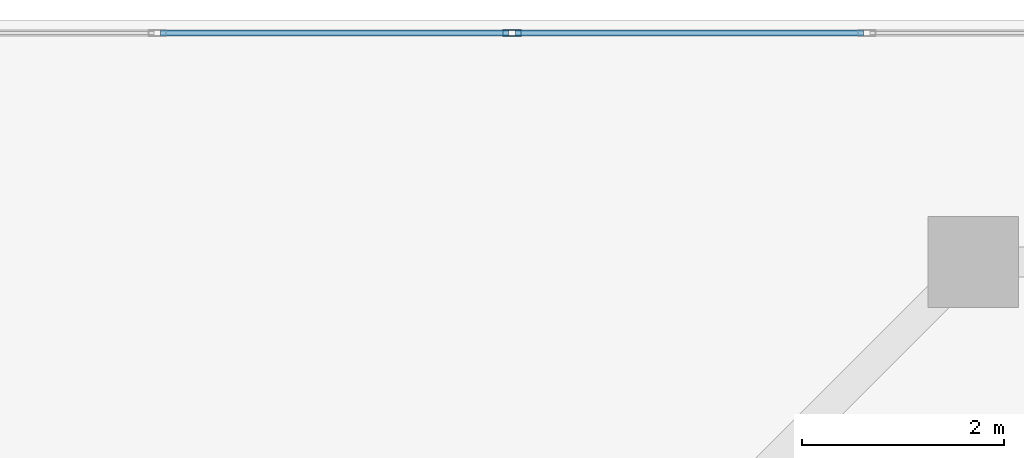
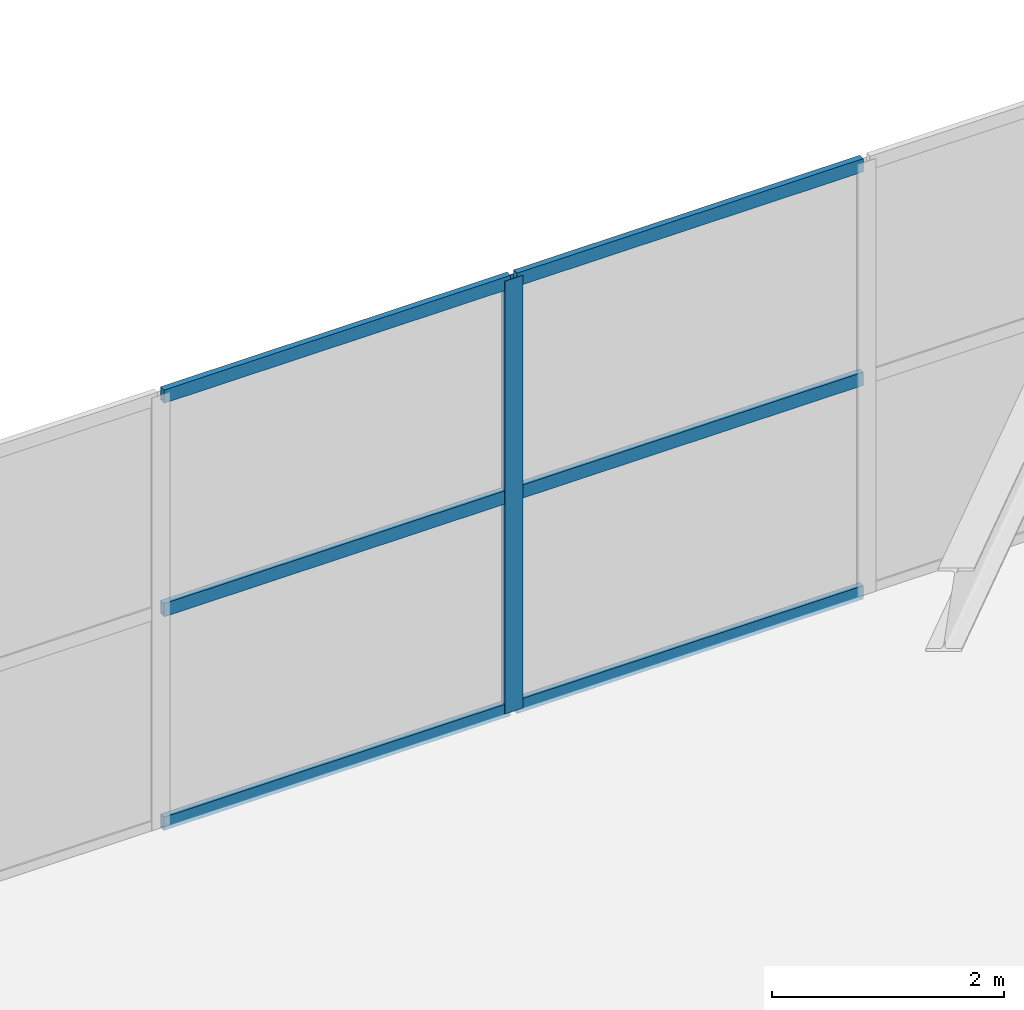
# One storey, part 16 of 31: 7 members, 1 element without a shape of its own.
"""IFC4 building model written with IfcOpenShell, lengths in metres."""

from ifc_helpers import new_model, si_unit, direction, frame, origin, origin_2d, place, context, subcontext, project, spatial, hollow_rectangle, extrude, material, layer, layer_set, material_profile, profile_set, type_object, element, aggregate, save


model = new_model("IFC4")

# Units and contexts
model_context = context("Model", 3, precision=1e-05, world=origin(), true_north=direction((0.0, 1.0)))
body_context = subcontext(model_context, "Body", "Model", "MODEL_VIEW")
ifc_project = project(units=[si_unit("LENGTHUNIT", "METRE"), si_unit("AREAUNIT", "SQUARE_METRE"), si_unit("VOLUMEUNIT", "CUBIC_METRE"), si_unit("PLANEANGLEUNIT", "RADIAN"), si_unit("MASSUNIT", "GRAM", prefix="KILO")], contexts=[model_context])

# Site, building, storey
site_placement = place(None, origin())
site = spatial("IfcSite", under=ifc_project, at=site_placement, CompositionType="ELEMENT")
building_placement = place(site_placement, origin())
building = spatial("IfcBuilding", under=site, at=building_placement, Name="Haolan Belvedere Tower", CompositionType="ELEMENT")
storey_placement = place(building_placement, frame((0.0, 0.0, 5.39990234375)))
storey = spatial("IfcBuildingStorey", under=building, at=storey_placement, Name="L01", CompositionType="ELEMENT", Elevation=5.39990234375)

# Curtain wall, members
ifc_material_1 = material(Name="Anodised champagne-silver aluminium 6063-T6 and Low-E glass", Category="aluminium")
ifc_layer = layer(ifc_material_1, 0.179931640625, Name="Anodised champagne-silver aluminium 6063-T6 and Low-E glass")
ifc_layer_set = layer_set([ifc_layer], Name="Anodised champagne-silver aluminium 6063-T6 and Low-E glass")
curtain_wall_type = type_object("IfcCurtainWallType", Name="CW-SYS-01", PredefinedType="NOTDEFINED", material=ifc_layer_set)
curtain_wall_placement = place(storey_placement, origin())
curtain_wall = element("IfcCurtainWall", 1, at=curtain_wall_placement, inside=storey, type_object=curtain_wall_type, Name="L01 CW-SYS-01 ribbon curtain wall 3.1", PredefinedType="NOTDEFINED")
ifc_material_2 = material(Name="Anodised aluminium 6063-T6", Category="aluminium")
ifc_material_profile_1 = material_profile(ifc_material_2, hollow_rectangle(XDim=0.06494140625, YDim=0.179931640625, WallThickness=0.00390625, at=origin_2d()), Name="Anodised aluminium 6063-T6")
ifc_profile_set_1 = profile_set([ifc_material_profile_1], Name="Anodised aluminium 6063-T6")
member_type_1 = type_object("IfcMemberType", Name="CW-SYS-01-MUL", PredefinedType="MULLION", material=ifc_profile_set_1)
member_1_placement = place(storey_placement, frame((54.22705078125, 53.8701171875, 0.0), z_axis=(0.0, 0.0, 1.0), x_axis=(0.0, -1.0, 0.0)))
member_1 = element("IfcMember", 2, at=member_1_placement, type_object=member_type_1, Name="CW-01 mullion 7", PredefinedType="MULLION", context=body_context, shape_type="SweptSolid", body=[
    extrude(hollow_rectangle(XDim=0.06494140625, YDim=0.179931640625, WallThickness=0.00390625, at=origin_2d()), origin(), (0.0, 0.0, 1.0), 4.56005859375),
])
ifc_material_profile_2 = material_profile(ifc_material_2, hollow_rectangle(XDim=0.06005859375, YDim=0.139892578125, WallThickness=0.00390625, at=origin_2d()), Name="Anodised aluminium 6063-T6")
ifc_profile_set_2 = profile_set([ifc_material_profile_2], Name="Anodised aluminium 6063-T6")
member_type_2 = type_object("IfcMemberType", Name="CW-SYS-01-TRN", PredefinedType="USERDEFINED", material=ifc_profile_set_2)
member_2_placement = place(storey_placement, frame((57.711669921875, 53.8701171875, 0.030029296875), z_axis=(-1.0, 0.0, 0.0), x_axis=(0.0, -1.0, 0.0)))
member_2 = element("IfcMember", 3, at=member_2_placement, type_object=member_type_2, Name="CW-01 transom 6.1", ObjectType="TRANSOM", PredefinedType="USERDEFINED", context=body_context, shape_type="SweptSolid", body=[
    extrude(hollow_rectangle(XDim=0.06005859375, YDim=0.139892578125, WallThickness=0.00390625, at=origin_2d()), origin(), (0.0, 0.0, 1.0), 3.4521484375),
])
member_3_placement = place(storey_placement, frame((57.711669921875, 53.8701171875, 2.280029296875), z_axis=(-1.0, 0.0, 0.0), x_axis=(0.0, -1.0, 0.0)))
member_3 = element("IfcMember", 4, at=member_3_placement, type_object=member_type_2, Name="CW-01 transom 6.2", ObjectType="TRANSOM", PredefinedType="USERDEFINED", context=body_context, shape_type="SweptSolid", body=[
    extrude(hollow_rectangle(XDim=0.06005859375, YDim=0.139892578125, WallThickness=0.00390625, at=origin_2d()), origin(), (0.0, 0.0, 1.0), 3.4521484375),
])
member_4_placement = place(storey_placement, frame((57.711669921875, 53.8701171875, 4.530029296875), z_axis=(-1.0, 0.0, 0.0), x_axis=(0.0, -1.0, 0.0)))
member_4 = element("IfcMember", 5, at=member_4_placement, type_object=member_type_2, Name="CW-01 transom 6.3", ObjectType="TRANSOM", PredefinedType="USERDEFINED", context=body_context, shape_type="SweptSolid", body=[
    extrude(hollow_rectangle(XDim=0.06005859375, YDim=0.139892578125, WallThickness=0.00390625, at=origin_2d()), origin(), (0.0, 0.0, 1.0), 3.4521484375),
])
member_5_placement = place(storey_placement, frame((54.194580078125, 53.8701171875, 0.030029296875), z_axis=(-1.0, 0.0, 0.0), x_axis=(0.0, -1.0, 0.0)))
member_5 = element("IfcMember", 6, at=member_5_placement, type_object=member_type_2, Name="CW-01 transom 7.1", ObjectType="TRANSOM", PredefinedType="USERDEFINED", context=body_context, shape_type="SweptSolid", body=[
    extrude(hollow_rectangle(XDim=0.06005859375, YDim=0.139892578125, WallThickness=0.00390625, at=origin_2d()), origin(), (0.0, 0.0, 1.0), 3.4521484375),
])
member_6_placement = place(storey_placement, frame((54.194580078125, 53.8701171875, 2.280029296875), z_axis=(-1.0, 0.0, 0.0), x_axis=(0.0, -1.0, 0.0)))
member_6 = element("IfcMember", 7, at=member_6_placement, type_object=member_type_2, Name="CW-01 transom 7.2", ObjectType="TRANSOM", PredefinedType="USERDEFINED", context=body_context, shape_type="SweptSolid", body=[
    extrude(hollow_rectangle(XDim=0.06005859375, YDim=0.139892578125, WallThickness=0.00390625, at=origin_2d()), origin(), (0.0, 0.0, 1.0), 3.4521484375),
])
member_7_placement = place(storey_placement, frame((54.194580078125, 53.8701171875, 4.530029296875), z_axis=(-1.0, 0.0, 0.0), x_axis=(0.0, -1.0, 0.0)))
member_7 = element("IfcMember", 8, at=member_7_placement, type_object=member_type_2, Name="CW-01 transom 7.3", ObjectType="TRANSOM", PredefinedType="USERDEFINED", context=body_context, shape_type="SweptSolid", body=[
    extrude(hollow_rectangle(XDim=0.06005859375, YDim=0.139892578125, WallThickness=0.00390625, at=origin_2d()), origin(), (0.0, 0.0, 1.0), 3.4521484375),
])
aggregate(curtain_wall, [member_1, member_2, member_3, member_4, member_5, member_6, member_7])

save(model, "model.ifc")
